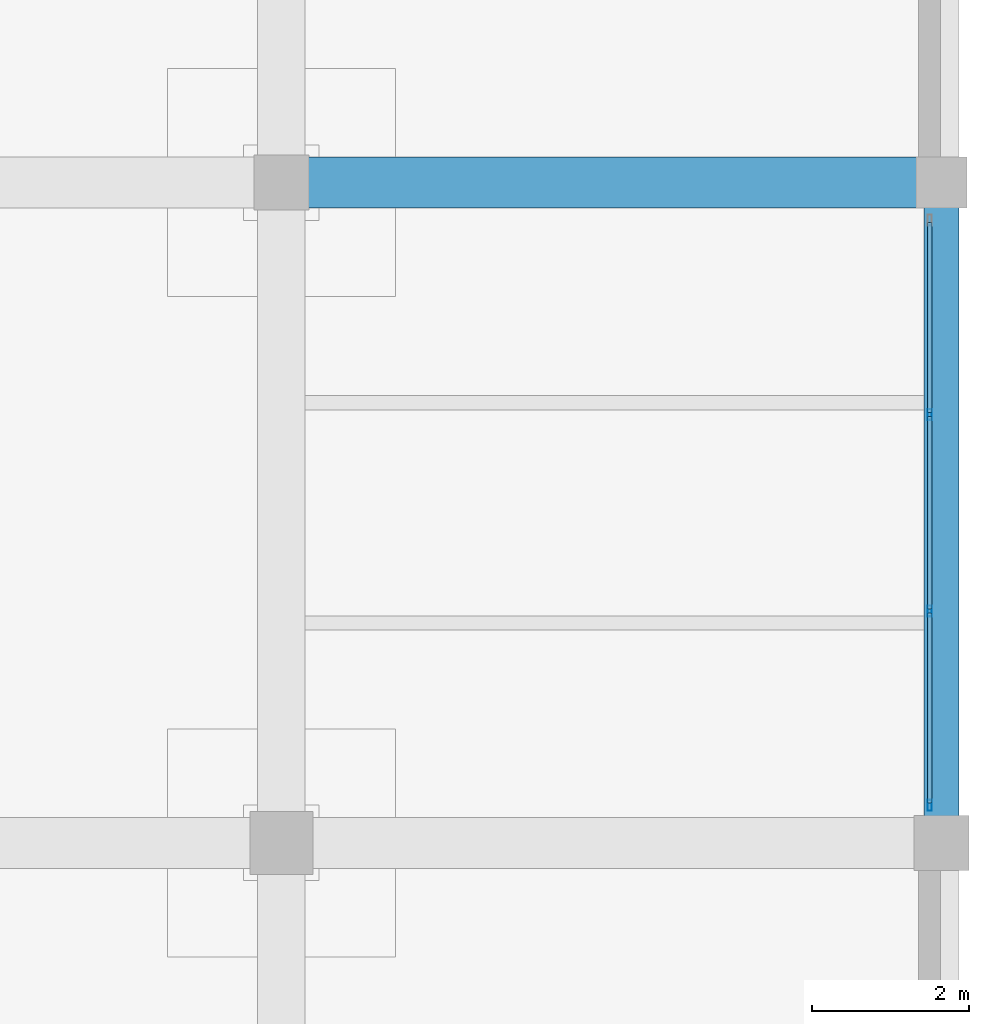
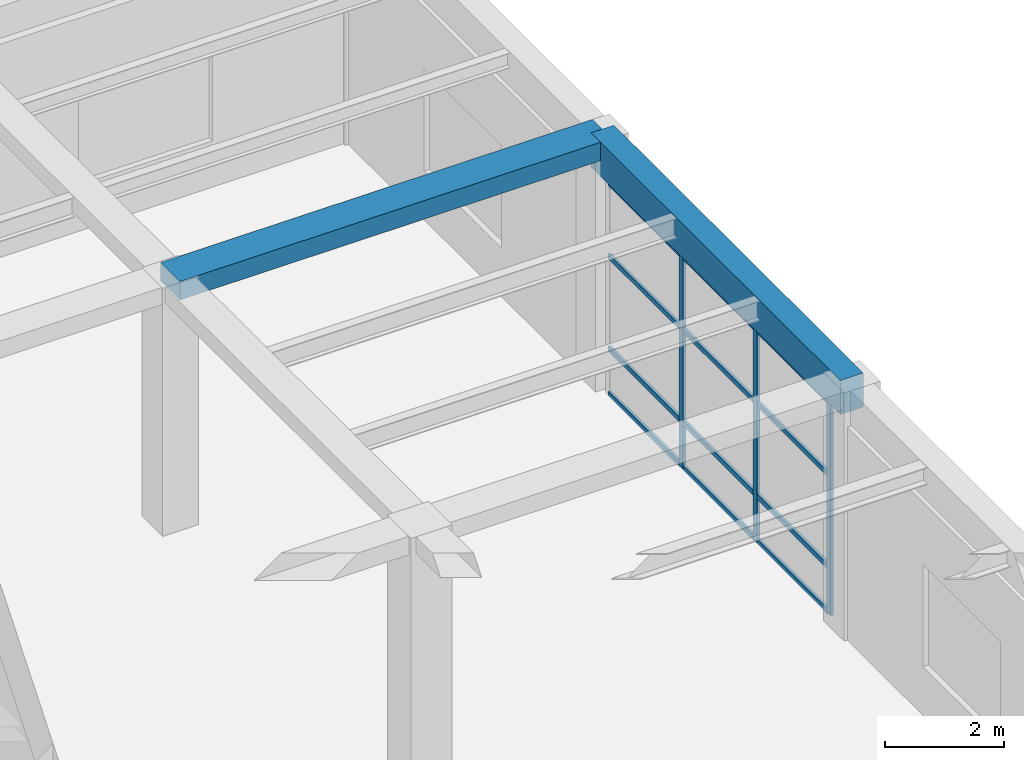
# One storey, part 65 of 96: 15 members, 2 beams, 1 element without a shape of its own.
"""IFC4 building model written with IfcOpenShell, lengths in metres."""

from ifc_helpers import new_model, si_unit, direction, frame, origin, origin_2d, place, context, subcontext, project, spatial, rectangle, hollow_rectangle, extrude, material, material_profile, profile_set, type_object, element, aggregate, save


model = new_model("IFC4")

# Units and contexts
model_context = context("Model", 3, precision=1e-05, world=origin(), true_north=direction((0.0, 1.0)))
body_context = subcontext(model_context, "Body", "Model", "MODEL_VIEW")
ifc_project = project(units=[si_unit("LENGTHUNIT", "METRE"), si_unit("AREAUNIT", "SQUARE_METRE"), si_unit("VOLUMEUNIT", "CUBIC_METRE"), si_unit("PLANEANGLEUNIT", "RADIAN"), si_unit("MASSUNIT", "GRAM", prefix="KILO")], contexts=[model_context])

# Site, building, storey
site_placement = place(None, origin())
site = spatial("IfcSite", under=ifc_project, at=site_placement, CompositionType="ELEMENT")
building_placement = place(site_placement, origin())
building = spatial("IfcBuilding", under=site, at=building_placement, Name="Almacenes y Pasaje Nevantli", CompositionType="ELEMENT")
storey_placement = place(building_placement, frame((0.0, 0.0, 6.0)))
storey = spatial("IfcBuildingStorey", under=building, at=storey_placement, Name="L02", CompositionType="ELEMENT", Elevation=6.0)

# Beams
ifc_material_1 = material(Name="Concrete C35/45", Category="concrete")
ifc_material_profile_1 = material_profile(ifc_material_1, rectangle(XDim=0.449951171875, YDim=0.699951171875, at=origin_2d()), Name="RC-BM-450x700")
ifc_profile_set_1 = profile_set([ifc_material_profile_1], Name="Concrete C35/45")
beam_type_1 = type_object("IfcBeamType", Name="BM-RC-450x700", PredefinedType="SPANDREL", material=ifc_profile_set_1)
beam_1_placement = place(storey_placement, frame((168.0, 100.800048828125, 4.75), z_axis=(0.0, 1.0, 0.0), x_axis=(-1.0, 0.0, 0.0)))
element("IfcBeam", 1, at=beam_1_placement, inside=storey, type_object=beam_type_1, Name="L02 North-South Reinforced Concrete Beam #2201", PredefinedType="SPANDREL", context=body_context, shape_type="SweptSolid", body=[
    extrude(rectangle(XDim=0.449951171875, YDim=0.699951171875, at=origin_2d()), origin(), (0.0, 0.0, 1.0), 8.39990234375),
])
ifc_material_2 = material(Name="Concrete C35/45", Category="concrete")
ifc_material_profile_2 = material_profile(ifc_material_2, rectangle(XDim=0.64990234375, YDim=0.3798828125, at=origin_2d()), Name="RC-BM-650x380")
ifc_profile_set_2 = profile_set([ifc_material_profile_2], Name="Concrete C35/45")
beam_type_2 = type_object("IfcBeamType", Name="BM-RC-650x380", PredefinedType="BEAM", material=ifc_profile_set_2)
beam_2_placement = place(storey_placement, frame((159.60009765625, 109.199951171875, 4.909912109375), z_axis=(1.0, 0.0, 0.0), x_axis=(0.0, 1.0, 0.0)))
element("IfcBeam", 2, at=beam_2_placement, inside=storey, type_object=beam_type_2, Name="L02 East-West Reinforced Concrete Beam #1945", PredefinedType="BEAM", context=body_context, shape_type="SweptSolid", body=[
    extrude(rectangle(XDim=0.64990234375, YDim=0.3798828125, at=origin_2d()), origin(), (0.0, 0.0, 1.0), 8.39990234375),
])

# Curtain wall, members
ifc_material_3 = material(Name="Thermally Broken Aluminium and Low-E Glass", Category="aluminium")
curtain_wall_type = type_object("IfcCurtainWallType", Name="CW-UNIT-PODIUM", PredefinedType="USERDEFINED", material=ifc_material_3)
curtain_wall_placement = place(storey_placement, origin())
curtain_wall = element("IfcCurtainWall", 3, at=curtain_wall_placement, inside=storey, type_object=curtain_wall_type, Name="L02 East Office Wing Curtain Wall Bay 13", ObjectType="UNITIZED CURTAIN WALL", PredefinedType="USERDEFINED")
ifc_material_4 = material(Name="Thermally Broken Anodized Aluminium", Category="aluminium")
ifc_material_profile_3 = material_profile(ifc_material_4, hollow_rectangle(XDim=0.054931640625, YDim=0.139892578125, WallThickness=0.00341796875, at=origin_2d()), Name="ALU-MUL-55x140")
ifc_profile_set_3 = profile_set([ifc_material_profile_3], Name="Thermally Broken Anodized Aluminium")
member_type_1 = type_object("IfcMemberType", Name="CW-MUL-160", PredefinedType="MULLION", material=ifc_profile_set_3)
member_1_placement = place(storey_placement, frame((167.85009765625, 101.277587890625, 0.0), z_axis=(0.0, 0.0, 1.0), x_axis=(-1.0, 0.0, 0.0)))
member_1 = element("IfcMember", 4, at=member_1_placement, type_object=member_type_1, Name="CW-L02-024 mullion 1", PredefinedType="MULLION", context=body_context, shape_type="SweptSolid", body=[
    extrude(hollow_rectangle(XDim=0.054931640625, YDim=0.139892578125, WallThickness=0.00341796875, at=origin_2d()), origin(), (0.0, 0.0, 1.0), 4.3798828125),
])
member_2_placement = place(storey_placement, frame((167.85009765625, 103.75, 0.0), z_axis=(0.0, 0.0, 1.0), x_axis=(-1.0, 0.0, 0.0)))
member_2 = element("IfcMember", 5, at=member_2_placement, type_object=member_type_1, Name="CW-L02-024 mullion 2", PredefinedType="MULLION", context=body_context, shape_type="SweptSolid", body=[
    extrude(hollow_rectangle(XDim=0.054931640625, YDim=0.139892578125, WallThickness=0.00341796875, at=origin_2d()), origin(), (0.0, 0.0, 1.0), 4.3798828125),
])
member_3_placement = place(storey_placement, frame((167.85009765625, 106.25, 0.0), z_axis=(0.0, 0.0, 1.0), x_axis=(-1.0, 0.0, 0.0)))
member_3 = element("IfcMember", 6, at=member_3_placement, type_object=member_type_1, Name="CW-L02-024 mullion 3", PredefinedType="MULLION", context=body_context, shape_type="SweptSolid", body=[
    extrude(hollow_rectangle(XDim=0.054931640625, YDim=0.139892578125, WallThickness=0.00341796875, at=origin_2d()), origin(), (0.0, 0.0, 1.0), 4.3798828125),
])
ifc_material_5 = material(Name="Thermally Broken Anodized Aluminium", Category="aluminium")
ifc_material_profile_4 = material_profile(ifc_material_5, hollow_rectangle(XDim=0.054931640625, YDim=0.10498046875, WallThickness=0.003173828125, at=origin_2d()), Name="ALU-TRN-55x105")
ifc_profile_set_4 = profile_set([ifc_material_profile_4], Name="Thermally Broken Anodized Aluminium")
member_type_2 = type_object("IfcMemberType", Name="CW-TRN-120", PredefinedType="USERDEFINED", material=ifc_profile_set_4)
member_4_placement = place(storey_placement, frame((167.85009765625, 101.304931640625, 0.027587890625), z_axis=(0.0, 1.0, 0.0), x_axis=(-1.0, 0.0, 0.0)))
member_4 = element("IfcMember", 7, at=member_4_placement, type_object=member_type_2, Name="CW-L02-024 transom 1.1", ObjectType="TRANSOM", PredefinedType="USERDEFINED", context=body_context, shape_type="SweptSolid", body=[
    extrude(hollow_rectangle(XDim=0.054931640625, YDim=0.10498046875, WallThickness=0.003173828125, at=origin_2d()), origin(), (0.0, 0.0, 1.0), 2.41748046875),
])
member_5_placement = place(storey_placement, frame((167.85009765625, 101.304931640625, 0.949951171875), z_axis=(0.0, 1.0, 0.0), x_axis=(-1.0, 0.0, 0.0)))
member_5 = element("IfcMember", 8, at=member_5_placement, type_object=member_type_2, Name="CW-L02-024 transom 1.2", ObjectType="TRANSOM", PredefinedType="USERDEFINED", context=body_context, shape_type="SweptSolid", body=[
    extrude(hollow_rectangle(XDim=0.054931640625, YDim=0.10498046875, WallThickness=0.003173828125, at=origin_2d()), origin(), (0.0, 0.0, 1.0), 2.41748046875),
])
member_6_placement = place(storey_placement, frame((167.85009765625, 101.304931640625, 2.85009765625), z_axis=(0.0, 1.0, 0.0), x_axis=(-1.0, 0.0, 0.0)))
member_6 = element("IfcMember", 9, at=member_6_placement, type_object=member_type_2, Name="CW-L02-024 transom 1.3", ObjectType="TRANSOM", PredefinedType="USERDEFINED", context=body_context, shape_type="SweptSolid", body=[
    extrude(hollow_rectangle(XDim=0.054931640625, YDim=0.10498046875, WallThickness=0.003173828125, at=origin_2d()), origin(), (0.0, 0.0, 1.0), 2.41748046875),
])
member_7_placement = place(storey_placement, frame((167.85009765625, 101.304931640625, 4.3525390625), z_axis=(0.0, 1.0, 0.0), x_axis=(-1.0, 0.0, 0.0)))
member_7 = element("IfcMember", 10, at=member_7_placement, type_object=member_type_2, Name="CW-L02-024 transom 1.4", ObjectType="TRANSOM", PredefinedType="USERDEFINED", context=body_context, shape_type="SweptSolid", body=[
    extrude(hollow_rectangle(XDim=0.054931640625, YDim=0.10498046875, WallThickness=0.003173828125, at=origin_2d()), origin(), (0.0, 0.0, 1.0), 2.41748046875),
])
member_8_placement = place(storey_placement, frame((167.85009765625, 103.777587890625, 0.027587890625), z_axis=(0.0, 1.0, 0.0), x_axis=(-1.0, 0.0, 0.0)))
member_8 = element("IfcMember", 11, at=member_8_placement, type_object=member_type_2, Name="CW-L02-024 transom 2.1", ObjectType="TRANSOM", PredefinedType="USERDEFINED", context=body_context, shape_type="SweptSolid", body=[
    extrude(hollow_rectangle(XDim=0.054931640625, YDim=0.10498046875, WallThickness=0.003173828125, at=origin_2d()), origin(), (0.0, 0.0, 1.0), 2.44482421875),
])
member_9_placement = place(storey_placement, frame((167.85009765625, 103.777587890625, 0.949951171875), z_axis=(0.0, 1.0, 0.0), x_axis=(-1.0, 0.0, 0.0)))
member_9 = element("IfcMember", 12, at=member_9_placement, type_object=member_type_2, Name="CW-L02-024 transom 2.2", ObjectType="TRANSOM", PredefinedType="USERDEFINED", context=body_context, shape_type="SweptSolid", body=[
    extrude(hollow_rectangle(XDim=0.054931640625, YDim=0.10498046875, WallThickness=0.003173828125, at=origin_2d()), origin(), (0.0, 0.0, 1.0), 2.44482421875),
])
member_10_placement = place(storey_placement, frame((167.85009765625, 103.777587890625, 2.85009765625), z_axis=(0.0, 1.0, 0.0), x_axis=(-1.0, 0.0, 0.0)))
member_10 = element("IfcMember", 13, at=member_10_placement, type_object=member_type_2, Name="CW-L02-024 transom 2.3", ObjectType="TRANSOM", PredefinedType="USERDEFINED", context=body_context, shape_type="SweptSolid", body=[
    extrude(hollow_rectangle(XDim=0.054931640625, YDim=0.10498046875, WallThickness=0.003173828125, at=origin_2d()), origin(), (0.0, 0.0, 1.0), 2.44482421875),
])
member_11_placement = place(storey_placement, frame((167.85009765625, 103.777587890625, 4.3525390625), z_axis=(0.0, 1.0, 0.0), x_axis=(-1.0, 0.0, 0.0)))
member_11 = element("IfcMember", 14, at=member_11_placement, type_object=member_type_2, Name="CW-L02-024 transom 2.4", ObjectType="TRANSOM", PredefinedType="USERDEFINED", context=body_context, shape_type="SweptSolid", body=[
    extrude(hollow_rectangle(XDim=0.054931640625, YDim=0.10498046875, WallThickness=0.003173828125, at=origin_2d()), origin(), (0.0, 0.0, 1.0), 2.44482421875),
])
member_12_placement = place(storey_placement, frame((167.85009765625, 106.277587890625, 0.027587890625), z_axis=(0.0, 1.0, 0.0), x_axis=(-1.0, 0.0, 0.0)))
member_12 = element("IfcMember", 15, at=member_12_placement, type_object=member_type_2, Name="CW-L02-024 transom 3.1", ObjectType="TRANSOM", PredefinedType="USERDEFINED", context=body_context, shape_type="SweptSolid", body=[
    extrude(hollow_rectangle(XDim=0.054931640625, YDim=0.10498046875, WallThickness=0.003173828125, at=origin_2d()), origin(), (0.0, 0.0, 1.0), 2.41748046875),
])
member_13_placement = place(storey_placement, frame((167.85009765625, 106.277587890625, 0.949951171875), z_axis=(0.0, 1.0, 0.0), x_axis=(-1.0, 0.0, 0.0)))
member_13 = element("IfcMember", 16, at=member_13_placement, type_object=member_type_2, Name="CW-L02-024 transom 3.2", ObjectType="TRANSOM", PredefinedType="USERDEFINED", context=body_context, shape_type="SweptSolid", body=[
    extrude(hollow_rectangle(XDim=0.054931640625, YDim=0.10498046875, WallThickness=0.003173828125, at=origin_2d()), origin(), (0.0, 0.0, 1.0), 2.41748046875),
])
member_14_placement = place(storey_placement, frame((167.85009765625, 106.277587890625, 2.85009765625), z_axis=(0.0, 1.0, 0.0), x_axis=(-1.0, 0.0, 0.0)))
member_14 = element("IfcMember", 17, at=member_14_placement, type_object=member_type_2, Name="CW-L02-024 transom 3.3", ObjectType="TRANSOM", PredefinedType="USERDEFINED", context=body_context, shape_type="SweptSolid", body=[
    extrude(hollow_rectangle(XDim=0.054931640625, YDim=0.10498046875, WallThickness=0.003173828125, at=origin_2d()), origin(), (0.0, 0.0, 1.0), 2.41748046875),
])
member_15_placement = place(storey_placement, frame((167.85009765625, 106.277587890625, 4.3525390625), z_axis=(0.0, 1.0, 0.0), x_axis=(-1.0, 0.0, 0.0)))
member_15 = element("IfcMember", 18, at=member_15_placement, type_object=member_type_2, Name="CW-L02-024 transom 3.4", ObjectType="TRANSOM", PredefinedType="USERDEFINED", context=body_context, shape_type="SweptSolid", body=[
    extrude(hollow_rectangle(XDim=0.054931640625, YDim=0.10498046875, WallThickness=0.003173828125, at=origin_2d()), origin(), (0.0, 0.0, 1.0), 2.41748046875),
])
aggregate(curtain_wall, [member_1, member_2, member_3, member_4, member_5, member_6, member_7, member_8, member_9, member_10, member_11, member_12, member_13, member_14, member_15])

save(model, "model.ifc")
